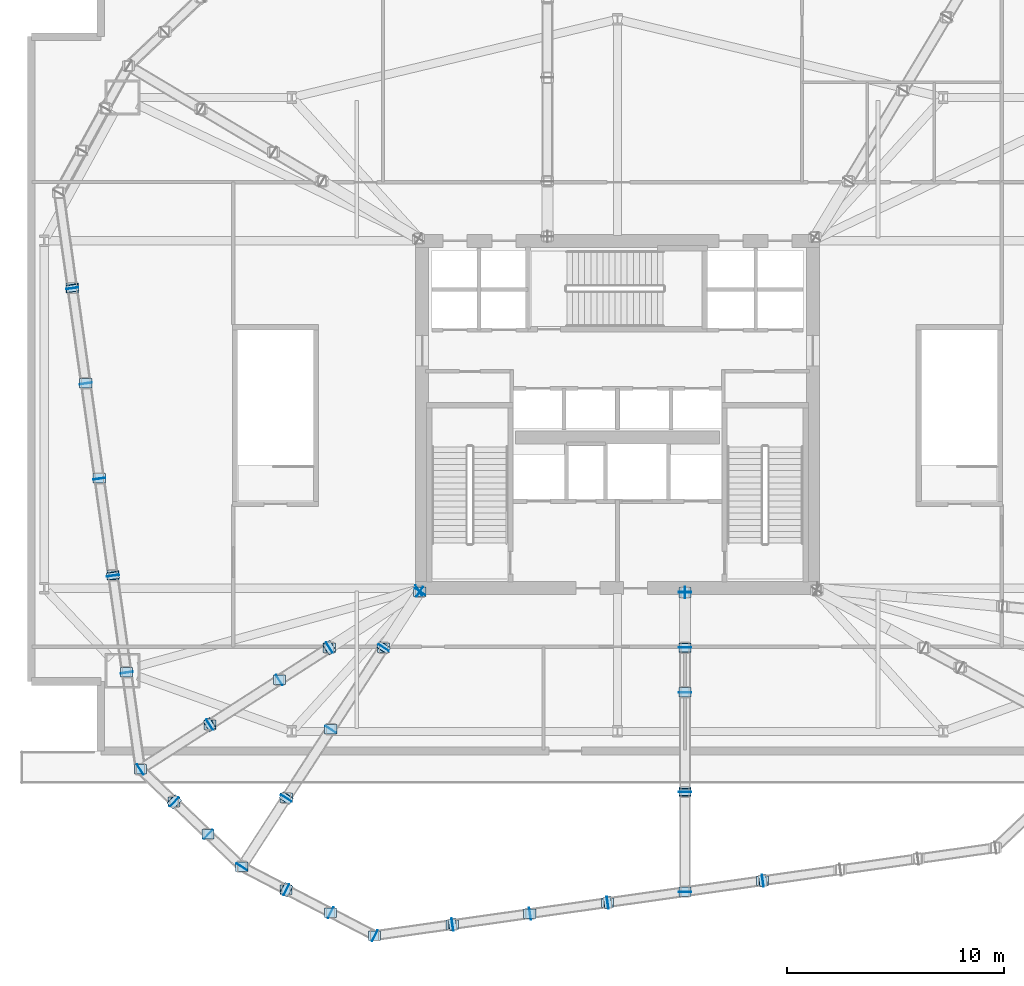
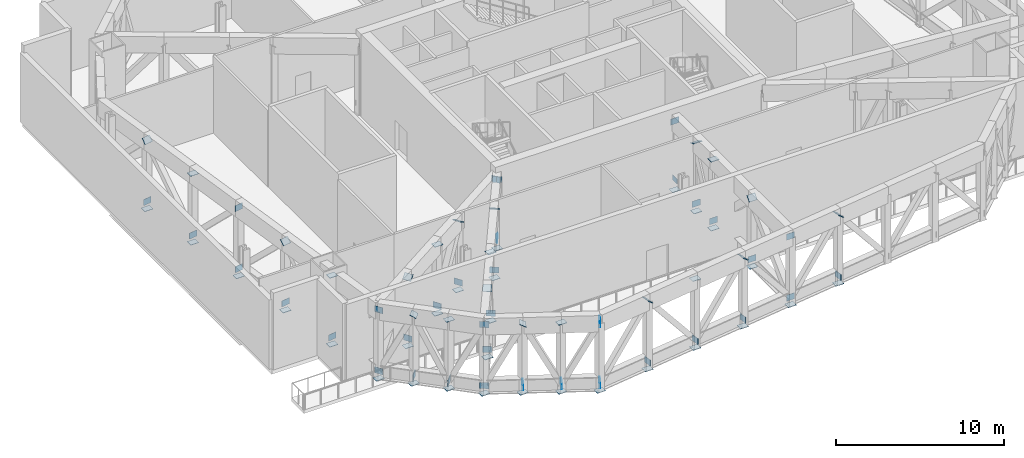
# One storey, part 6 of 15: 85 plates.
"""IFC4 building model written with IfcOpenShell, lengths in metres."""

from ifc_helpers import new_model, si_unit, direction, frame, origin, origin_2d, place, context, subcontext, project, spatial, rectangle, extrude, source, transform, mapped, material, layer, layer_set, type_object, element, save


model = new_model("IFC4")

# Units and contexts
model_context = context("Model", 3, precision=1e-05, world=origin(), true_north=direction((0.0, 1.0)))
body_context = subcontext(model_context, "Body", "Model", "MODEL_VIEW")
ifc_project = project(units=[si_unit("LENGTHUNIT", "METRE"), si_unit("AREAUNIT", "SQUARE_METRE"), si_unit("VOLUMEUNIT", "CUBIC_METRE"), si_unit("PLANEANGLEUNIT", "RADIAN"), si_unit("MASSUNIT", "GRAM", prefix="KILO")], contexts=[model_context])

# Site, building, storey
site_placement = place(None, origin())
site = spatial("IfcSite", under=ifc_project, at=site_placement, CompositionType="ELEMENT")
building_placement = place(site_placement, origin())
building = spatial("IfcBuilding", under=site, at=building_placement, Name="Haldenkirk Collegiate Tower", CompositionType="ELEMENT")
storey_placement = place(building_placement, frame((0.0, 0.0, 22.199951171875)))
storey = spatial("IfcBuildingStorey", under=building, at=storey_placement, Name="L04", CompositionType="ELEMENT", Elevation=22.199951171875)

# Plates
ifc_material = material(Name="Steel ASTM A572 Grade 50", Category="steel")
ifc_layer_1 = layer(ifc_material, 0.028076171875)
ifc_layer_set_1 = layer_set([ifc_layer_1], Name="Steel ASTM A572 Grade 50")
plate_type_1 = type_object("IfcPlateType", Name="PLT-CAP-INT-560X440", PredefinedType="USERDEFINED", material=ifc_layer_set_1)
shared_shape_1 = source(origin(), body_context, "Body", "SweptSolid", [
    extrude(rectangle(XDim=0.56005859375, YDim=0.43994140625, at=origin_2d()), origin(), (0.0, 0.0, 1.0), 0.028076171875),
])
for number, where, z_axis, x_axis, name in (
    (1, (26.8896484375, 17.82958984375, 4.989990234375), (0.54339577005, 0.839476644757, 0.0), (-0.839476644757, 0.54339577005, 0.0), "Podium Transfer Truss Radial 01 top chord 1 end cap plate 1"),
    (2, (25.21826171875, 15.24755859375, 0.550048828125), (0.543392038824, 0.839479059979, 0.0), (-0.839479059979, 0.543392038824, 0.0), "Podium Transfer Truss Radial 01 bottom chord 2 end plate 1"),
    (3, (22.79541015625, 11.50439453125, 0.550048828125), (-0.543392038824, -0.839479059979, 0.0), (0.839479059979, -0.543392038824, 0.0), "Podium Transfer Truss Radial 01 bottom chord 2 end plate 2"),
    (4, (25.21875, 15.248291015625, 4.98779296875), (0.385299920478, 0.595252877146, 0.705136854468), (-0.839482352734, 0.543386951856, -2.30799e-07), "Podium Transfer Truss Radial 01 web diagonal 2 end cap plate 1"),
    (5, (20.74658203125, 8.339111328125, 0.550048828125), (-0.543392038824, -0.839479059979, 0.0), (0.839479059979, -0.543392038824, 0.0), "Podium Transfer Truss Radial 01 bottom chord 3 end plate 2"),
    (6, (20.74609375, 8.33837890625, 4.98779296875), (-0.351730078864, -0.543390121838, 0.762242170908), (0.839481982009, -0.543387524592, -4.58458e-07), "Podium Transfer Truss Radial 01 web diagonal 3 end cap plate 2"),
    (7, (18.69775390625, 5.174072265625, 4.989990234375), (-0.543399957431, -0.839473934237, 0.0), (0.839473934237, -0.543399957431, 0.0), "Podium Transfer Truss Radial 01 top chord 4 end cap plate 2"),
    (8, (18.69775390625, 5.174072265625, 0.550048828125), (-0.543392038824, -0.839479059979, 0.0), (0.839479059979, -0.543392038824, 0.0), "Podium Transfer Truss Radial 01 bottom chord 4 end plate 2"),
    (9, (26.891357421875, 17.83203125, 0.0029296875), (0.0, 0.0, -1.0), (1.0, 0.0, 0.0), "Podium Transfer Truss Radial 01 vertical post 1 end cap plate 1"),
    (10, (25.219970703125, 15.25, 0.0029296875), (0.0, 0.0, -1.0), (1.0, 0.0, 0.0), "Podium Transfer Truss Radial 01 vertical post 2 end cap plate 1"),
    (11, (22.793701171875, 11.501953125, 0.0029296875), (0.0, 0.0, -1.0), (1.0, 0.0, 0.0), "Podium Transfer Truss Radial 01 vertical post 3 end cap plate 1"),
    (12, (22.793701171875, 11.501953125, 4.98681640625), (0.0, 0.0, 1.0), (1.0, 0.0, 0.0), "Podium Transfer Truss Radial 01 vertical post 3 end cap plate 2"),
    (13, (20.7451171875, 8.336669921875, 0.0029296875), (0.0, 0.0, -1.0), (1.0, 0.0, 0.0), "Podium Transfer Truss Radial 01 vertical post 4 end cap plate 1"),
    (14, (18.6962890625, 5.171630859375, 0.0029296875), (0.0, 0.0, -1.0), (1.0, 0.0, 0.0), "Podium Transfer Truss Radial 01 vertical post 5 end cap plate 1"),
    (15, (39.10888671875, 17.796875, 4.989990234375), (0.0, 1.0, 0.0), (-1.0, 0.0, 0.0), "Podium Transfer Truss Radial 05 top chord 1 end cap plate 1"),
    (16, (39.10888671875, 15.2470703125, 0.550048828125), (0.0, 1.0, 0.0), (-1.0, 0.0, 0.0), "Podium Transfer Truss Radial 05 bottom chord 2 end plate 1"),
    (17, (39.10888671875, 13.20947265625, 0.550048828125), (0.0, -1.0, 0.0), (1.0, 0.0, 0.0), "Podium Transfer Truss Radial 05 bottom chord 2 end plate 2"),
    (18, (39.10888671875, 15.248779296875, 4.9873046875), (0.0, 0.418125190049, 0.908389412888), (-1.0, 0.0, 0.0), "Podium Transfer Truss Radial 05 web diagonal 2 end cap plate 1"),
    (19, (39.10888671875, 8.61572265625, 0.550048828125), (0.0, -1.0, 0.0), (1.0, 0.0, 0.0), "Podium Transfer Truss Radial 05 bottom chord 3 end plate 2"),
    (20, (39.10888671875, 8.614501953125, 4.98779296875), (0.0, -0.719040827177, 0.694967832963), (1.0, 0.0, 0.0), "Podium Transfer Truss Radial 05 web diagonal 3 end cap plate 2"),
    (21, (39.10888671875, 4.02197265625, 4.989990234375), (0.0, -1.0, 0.0), (1.0, 0.0, 0.0), "Podium Transfer Truss Radial 05 top chord 4 end cap plate 2"),
    (22, (39.10888671875, 4.02197265625, 0.550048828125), (0.0, -1.0, 0.0), (1.0, 0.0, 0.0), "Podium Transfer Truss Radial 05 bottom chord 4 end plate 2"),
    (23, (39.10888671875, 17.800048828125, 0.0029296875), (0.0, 0.0, -1.0), (1.0, 0.0, 0.0), "Podium Transfer Truss Radial 05 vertical post 1 end cap plate 1"),
    (24, (39.10888671875, 15.25, 0.0029296875), (0.0, 0.0, -1.0), (1.0, 0.0, 0.0), "Podium Transfer Truss Radial 05 vertical post 2 end cap plate 1"),
    (25, (39.10888671875, 13.206298828125, 0.0029296875), (0.0, 0.0, -1.0), (1.0, 0.0, 0.0), "Podium Transfer Truss Radial 05 vertical post 3 end cap plate 1"),
    (26, (39.10888671875, 13.206298828125, 4.98681640625), (0.0, 0.0, 1.0), (1.0, 0.0, 0.0), "Podium Transfer Truss Radial 05 vertical post 3 end cap plate 2"),
    (27, (39.10888671875, 8.612548828125, 0.0029296875), (0.0, 0.0, -1.0), (1.0, 0.0, 0.0), "Podium Transfer Truss Radial 05 vertical post 4 end cap plate 1"),
    (28, (39.10888671875, 4.018798828125, 0.0029296875), (0.0, 0.0, -1.0), (1.0, 0.0, 0.0), "Podium Transfer Truss Radial 05 vertical post 5 end cap plate 1"),
    (29, (26.829345703125, 17.89013671875, 4.989990234375), (0.841183251518, 0.540750161687, 0.0), (-0.540750161687, 0.841183251518, 0.0), "Podium Transfer Truss Radial 08 top chord 1 end cap plate 1"),
    (30, (22.7197265625, 15.248291015625, 0.550048828125), (0.841183543929, 0.540749706817, 0.0), (-0.540749706817, 0.841183543929, 0.0), "Podium Transfer Truss Radial 08 bottom chord 2 end plate 1"),
    (31, (20.42919921875, 13.776123046875, 0.550048828125), (-0.841183543929, -0.540749706817, 0.0), (0.540749706817, -0.841183543929, 0.0), "Podium Transfer Truss Radial 08 bottom chord 2 end plate 2"),
    (32, (22.720703125, 15.249267578125, 4.987548828125), (0.440419064103, 0.283130041209, 0.851979124005), (-0.540761456016, 0.841175990912, -6.32187e-07), "Podium Transfer Truss Radial 08 web diagonal 2 end cap plate 1"),
    (33, (17.226806640625, 11.717529296875, 0.550048828125), (-0.841183543929, -0.540749706817, 0.0), (0.540749706817, -0.841183543929, 0.0), "Podium Transfer Truss Radial 08 bottom chord 3 end plate 2"),
    (34, (17.22607421875, 11.716796875, 4.98779296875), (-0.547543959312, -0.351977973844, 0.759148943587), (0.540741763075, -0.841188650462, 1.1999e-08), "Podium Transfer Truss Radial 08 web diagonal 3 end cap plate 2"),
    (35, (14.0244140625, 9.658935546875, 4.989990234375), (-0.841184453668, -0.540748291636, 0.0), (0.540748291636, -0.841184453668, 0.0), "Podium Transfer Truss Radial 08 top chord 4 end cap plate 2"),
    (36, (14.0244140625, 9.658935546875, 0.550048828125), (-0.841183543929, -0.540749706817, 0.0), (0.540749706817, -0.841183543929, 0.0), "Podium Transfer Truss Radial 08 bottom chord 4 end plate 2"),
    (37, (22.72216796875, 15.25, 0.0029296875), (0.0, 0.0, -1.0), (1.0, 0.0, 0.0), "Podium Transfer Truss Radial 08 vertical post 2 end cap plate 1"),
    (38, (20.427001953125, 13.7744140625, 0.0029296875), (0.0, 0.0, -1.0), (1.0, 0.0, 0.0), "Podium Transfer Truss Radial 08 vertical post 3 end cap plate 1"),
    (39, (20.427001953125, 13.7744140625, 4.98681640625), (0.0, 0.0, 1.0), (1.0, 0.0, 0.0), "Podium Transfer Truss Radial 08 vertical post 3 end cap plate 2"),
    (40, (17.224609375, 11.7158203125, 0.0029296875), (0.0, 0.0, -1.0), (1.0, 0.0, 0.0), "Podium Transfer Truss Radial 08 vertical post 4 end cap plate 1"),
    (41, (14.02197265625, 9.6572265625, 0.0029296875), (0.0, 0.0, -1.0), (1.0, 0.0, 0.0), "Podium Transfer Truss Radial 08 vertical post 5 end cap plate 1"),
    (42, (20.733154296875, 4.11474609375, 0.550048828125), (0.887657495462, -0.460504257039, 0.0), (0.460504257039, 0.887657495462, 0.0), "Podium Transfer Truss Belt 01 bottom chord 1 end plate 2"),
    (43, (20.734619140625, 4.114013671875, 4.9873046875), (0.407975917862, -0.211648957389, 0.888121821194), (0.460499014062, 0.887660215425, -1.67574e-07), "Podium Transfer Truss Belt 01 web diagonal 1 end cap plate 2"),
    (44, (22.77294921875, 3.056640625, 0.550048828125), (0.887657495462, -0.460504257039, 0.0), (0.460504257039, 0.887657495462, 0.0), "Podium Transfer Truss Belt 01 bottom chord 2 end plate 2"),
    (45, (24.8125, 1.99853515625, 4.989990234375), (0.88766017549, -0.46049909104, 0.0), (0.46049909104, 0.88766017549, 0.0), "Podium Transfer Truss Belt 01 top chord 3 end cap plate 2"),
    (46, (24.8125, 1.99853515625, 0.550048828125), (0.887657495462, -0.460504257039, 0.0), (0.460504257039, 0.887657495462, 0.0), "Podium Transfer Truss Belt 01 bottom chord 3 end plate 2"),
    (47, (20.73583984375, 4.113525390625, 0.0029296875), (0.0, 0.0, -1.0), (1.0, 0.0, 0.0), "Podium Transfer Truss Belt 01 vertical post 2 end cap plate 1"),
    (48, (22.775390625, 3.055419921875, 0.0029296875), (0.0, 0.0, -1.0), (1.0, 0.0, 0.0), "Podium Transfer Truss Belt 01 vertical post 3 end cap plate 1"),
    (49, (22.775390625, 3.055419921875, 4.98681640625), (0.0, 0.0, 1.0), (1.0, 0.0, 0.0), "Podium Transfer Truss Belt 01 vertical post 3 end cap plate 2"),
    (50, (24.815185546875, 1.997314453125, 0.0029296875), (0.0, 0.0, -1.0), (1.0, 0.0, 0.0), "Podium Transfer Truss Belt 01 vertical post 4 end cap plate 1"),
    (51, (28.385498046875, 2.502197265625, 0.550048828125), (0.990145988694, 0.140038998401, 0.0), (-0.140038998401, 0.990145988694, 0.0), "Podium Transfer Truss Belt 02 bottom chord 1 end plate 2"),
    (52, (28.38671875, 2.50244140625, 4.987548828125), (0.624530972839, 0.088329996158, 0.775988966251), (-0.140040150498, 0.990145825749, -2.1335e-07), "Podium Transfer Truss Belt 02 web diagonal 1 end cap plate 2"),
    (53, (31.958984375, 3.007568359375, 0.550048828125), (0.990145988694, 0.140038998401, 0.0), (-0.140038998401, 0.990145988694, 0.0), "Podium Transfer Truss Belt 02 bottom chord 2 end plate 2"),
    (54, (35.532470703125, 3.512939453125, 0.550048828125), (0.990145988694, 0.140038998401, 0.0), (-0.140038998401, 0.990145988694, 0.0), "Podium Transfer Truss Belt 02 bottom chord 3 end plate 2"),
    (55, (35.533447265625, 3.51318359375, 4.987548828125), (0.624530972839, 0.088329996158, 0.775988966251), (-0.140040150498, 0.990145825749, -2.1335e-07), "Podium Transfer Truss Belt 02 web diagonal 3 end cap plate 2"),
    (56, (28.388427734375, 2.502685546875, 0.0029296875), (0.0, 0.0, -1.0), (1.0, 0.0, 0.0), "Podium Transfer Truss Belt 02 vertical post 2 end cap plate 1"),
    (57, (31.9619140625, 3.008056640625, 0.0029296875), (0.0, 0.0, -1.0), (1.0, 0.0, 0.0), "Podium Transfer Truss Belt 02 vertical post 3 end cap plate 1"),
    (58, (31.9619140625, 3.008056640625, 4.98681640625), (0.0, 0.0, 1.0), (1.0, 0.0, 0.0), "Podium Transfer Truss Belt 02 vertical post 3 end cap plate 2"),
    (59, (35.535400390625, 3.513427734375, 0.0029296875), (0.0, 0.0, -1.0), (1.0, 0.0, 0.0), "Podium Transfer Truss Belt 02 vertical post 4 end cap plate 1"),
    (60, (42.67919921875, 4.523681640625, 0.550048828125), (0.990146978894, 0.140031997015, 0.0), (-0.140031997015, 0.990146978894, 0.0), "Podium Transfer Truss Belt 03 bottom chord 1 end plate 2"),
    (61, (42.680419921875, 4.52392578125, 4.987548828125), (0.624542099176, 0.088329014026, 0.775980123224), (-0.140036208697, 0.990146383245, -1.88192e-07), "Podium Transfer Truss Belt 03 web diagonal 1 end cap plate 2"),
    (62, (42.682373046875, 4.524169921875, 0.0029296875), (0.0, 0.0, -1.0), (1.0, 0.0, 0.0), "Podium Transfer Truss Belt 03 vertical post 2 end cap plate 1"),
    (63, (10.88623046875, 31.829345703125, 0.550048828125), (0.140040959178, -0.990145711374, 0.0), (0.990145711374, 0.140040959178, 0.0), "Podium Transfer Truss Belt 14 bottom chord 1 end plate 2"),
    (64, (10.88623046875, 31.828369140625, 4.98779296875), (0.098911000572, -0.699378004046, 0.707875004095), (0.990146728188, 0.140033769709, 1.90372e-07), "Podium Transfer Truss Belt 14 web diagonal 1 end cap plate 2"),
    (65, (11.506591796875, 27.442626953125, 0.550048828125), (0.140040959178, -0.990145711374, 0.0), (0.990145711374, 0.140040959178, 0.0), "Podium Transfer Truss Belt 14 bottom chord 2 end plate 2"),
    (66, (12.126953125, 23.055908203125, 4.989990234375), (0.140033957796, -0.990146701587, 0.0), (0.990146701587, 0.140033957796, 0.0), "Podium Transfer Truss Belt 14 top chord 3 end cap plate 2"),
    (67, (12.126953125, 23.055908203125, 0.550048828125), (0.140040959178, -0.990145711374, 0.0), (0.990145711374, 0.140040959178, 0.0), "Podium Transfer Truss Belt 14 bottom chord 3 end plate 2"),
    (68, (10.88671875, 31.826416015625, 0.0029296875), (0.0, 0.0, -1.0), (1.0, 0.0, 0.0), "Podium Transfer Truss Belt 14 vertical post 2 end cap plate 1"),
    (69, (11.507080078125, 27.439697265625, 0.0029296875), (0.0, 0.0, -1.0), (1.0, 0.0, 0.0), "Podium Transfer Truss Belt 14 vertical post 3 end cap plate 1"),
    (70, (11.507080078125, 27.439697265625, 4.98681640625), (0.0, 0.0, 1.0), (1.0, 0.0, 0.0), "Podium Transfer Truss Belt 14 vertical post 3 end cap plate 2"),
    (71, (12.12744140625, 23.052978515625, 0.0029296875), (0.0, 0.0, -1.0), (1.0, 0.0, 0.0), "Podium Transfer Truss Belt 14 vertical post 4 end cap plate 1"),
    (72, (12.758544921875, 18.5908203125, 0.550048828125), (0.140031997015, -0.990146978894, 0.0), (0.990146978894, 0.140031997015, 0.0), "Podium Transfer Truss Belt 15 bottom chord 1 end plate 2"),
    (73, (12.758544921875, 18.58984375, 4.988037109375), (0.099785963318, -0.705565740631, 0.701583742095), (0.990146743567, 0.140033660964, 2.95157e-07), "Podium Transfer Truss Belt 15 web diagonal 1 end cap plate 2"),
    (74, (13.39013671875, 14.12548828125, 0.550048828125), (0.140031997015, -0.990146978894, 0.0), (0.990146978894, 0.140031997015, 0.0), "Podium Transfer Truss Belt 15 bottom chord 2 end plate 2"),
    (75, (12.759033203125, 18.587646484375, 0.0029296875), (0.0, 0.0, -1.0), (1.0, 0.0, 0.0), "Podium Transfer Truss Belt 15 vertical post 2 end cap plate 1"),
    (76, (13.390380859375, 14.122314453125, 0.0029296875), (0.0, 0.0, -1.0), (1.0, 0.0, 0.0), "Podium Transfer Truss Belt 15 vertical post 3 end cap plate 1"),
    (77, (13.390380859375, 14.122314453125, 4.98681640625), (0.0, 0.0, 1.0), (1.0, 0.0, 0.0), "Podium Transfer Truss Belt 15 vertical post 3 end cap plate 2"),
    (78, (15.577880859375, 8.1640625, 0.550048828125), (0.721512944454, -0.692400946696, 0.0), (0.692400946696, 0.721512944454, 0.0), "Podium Transfer Truss Belt 16 bottom chord 1 end plate 2"),
    (79, (15.5791015625, 8.162841796875, 4.9873046875), (0.315577802825, -0.302837810785, 0.899277438126), (0.692392778594, 0.721520782896, -1.9385e-08), "Podium Transfer Truss Belt 16 web diagonal 1 end cap plate 2"),
    (80, (17.135986328125, 6.6689453125, 0.550048828125), (0.721512944454, -0.692400946696, 0.0), (0.692400946696, 0.721512944454, 0.0), "Podium Transfer Truss Belt 16 bottom chord 2 end plate 2"),
    (81, (15.580078125, 8.162109375, 0.0029296875), (0.0, 0.0, -1.0), (1.0, 0.0, 0.0), "Podium Transfer Truss Belt 16 vertical post 2 end cap plate 1"),
    (82, (17.13818359375, 6.666748046875, 0.0029296875), (0.0, 0.0, -1.0), (1.0, 0.0, 0.0), "Podium Transfer Truss Belt 16 vertical post 3 end cap plate 1"),
    (83, (17.13818359375, 6.666748046875, 4.98681640625), (0.0, 0.0, 1.0), (1.0, 0.0, 0.0), "Podium Transfer Truss Belt 16 vertical post 3 end cap plate 2"),
):
    element("IfcPlate", number, at=place(storey_placement, frame(where, z_axis=z_axis, x_axis=x_axis)), inside=storey, type_object=plate_type_1, Name=name, ObjectType="END CAP PLATE", PredefinedType="USERDEFINED", context=body_context, shape_type="MappedRepresentation", body=[
        mapped(shared_shape_1, transform((0.0, 0.0, 0.0), x_axis=(1.0, 0.0, 0.0), y_axis=(0.0, 1.0, 0.0), z_axis=(0.0, 0.0, 1.0), scale=1.0)),
    ])
ifc_layer_2 = layer(ifc_material, 0.031982421875)
ifc_layer_set_2 = layer_set([ifc_layer_2], Name="Steel ASTM A572 Grade 50")
plate_type_2 = type_object("IfcPlateType", Name="PLT-GUSSET-INT-520X380", PredefinedType="USERDEFINED", material=ifc_layer_set_2)
shared_shape_2 = source(origin(), body_context, "Body", "SweptSolid", [
    extrude(rectangle(XDim=0.52001953125, YDim=0.031982421875, at=origin_2d()), origin(), (0.0, 0.0, 1.0), 0.3798828125),
])
for number, where, z_axis, x_axis, name in (
    (84, (26.891357421875, 17.83203125, 0.550048828125), (0.0, 0.0, 1.0), (-0.54339203531, -0.839479062253, 0.0), "Podium Transfer Truss Radial 01 bottom node gusset plate 1"),
    (85, (39.10888671875, 17.800048828125, 0.550048828125), (0.0, 0.0, 1.0), (0.0, -1.0, 0.0), "Podium Transfer Truss Radial 05 bottom node gusset plate 1"),
):
    element("IfcPlate", number, at=place(storey_placement, frame(where, z_axis=z_axis, x_axis=x_axis)), inside=storey, type_object=plate_type_2, Name=name, ObjectType="GUSSET PLATE", PredefinedType="USERDEFINED", context=body_context, shape_type="MappedRepresentation", body=[
        mapped(shared_shape_2, transform((0.0, 0.0, 0.0), x_axis=(1.0, 0.0, 0.0), y_axis=(0.0, 1.0, 0.0), z_axis=(0.0, 0.0, 1.0), scale=1.0)),
    ])

save(model, "model.ifc")
